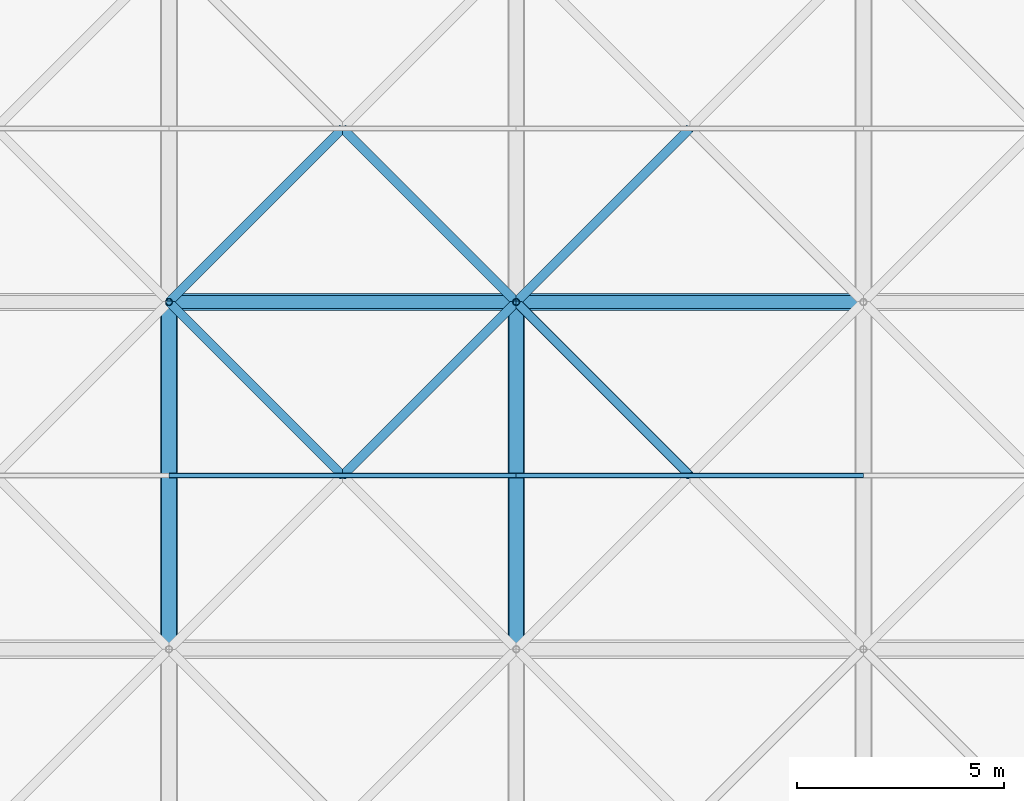
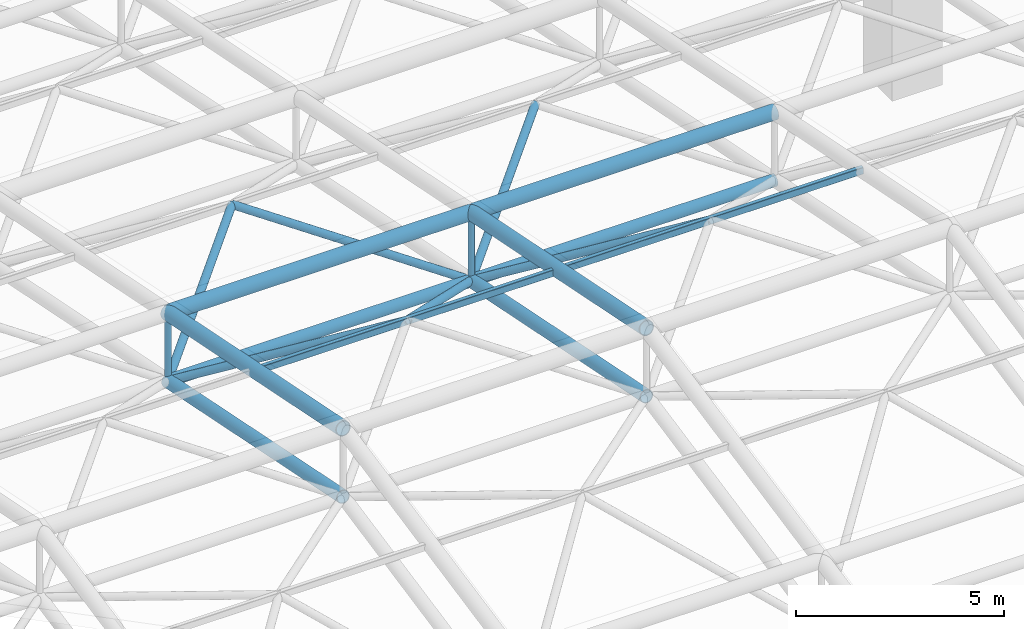
# One storey, part 41 of 81: 18 members.
"""IFC4 building model written with IfcOpenShell, lengths in metres."""

import ifcopenshell
import ifcopenshell.guid

model = None  # the IFC model being written
_history = None  # IfcOwnerHistory: only IFC2X3 demands one
_inside = {}  # id of a spatial element -> (the spatial element, [elements in it])
_under = {}  # id of a project, library or spatial element -> (it, [spatial elements below it])
_declared = {}  # id of a project -> (the project, [libraries it declares])
_typed = {}  # id of a type object -> (the type object, [elements of that type])
_made_of = {}  # id of a material, layer set ... -> (it, [elements and type objects made of it])


def new_model(schema):
    """Start an empty IFC model of exactly this schema.

    Asked for "IFC4X3", IfcOpenShell would pick the latest addendum, in which some entities
    have other attributes; the version numbers below select the first issue.
    IFC2X3 requires an IfcOwnerHistory on every rooted entity: one is made here for all.
    """
    global model, _history
    if schema == "IFC4X3":
        model = ifcopenshell.file(schema_version=(4, 3, 0, 0))
    else:
        model = ifcopenshell.file(schema=schema)
    _inside.clear()
    _under.clear()
    _declared.clear()
    _typed.clear()
    _made_of.clear()
    _history = None
    if model.schema == "IFC2X3":
        org = make("IfcOrganization", Name="unknown")
        user = make(
            "IfcPersonAndOrganization",
            ThePerson=make("IfcPerson", FamilyName="unknown"),
            TheOrganization=org,
        )
        app = make(
            "IfcApplication",
            ApplicationDeveloper=org,
            Version="unknown",
            ApplicationFullName="unknown",
            ApplicationIdentifier="unknown",
        )
        _history = make(
            "IfcOwnerHistory",
            OwningUser=user,
            OwningApplication=app,
            ChangeAction="ADDED",
            CreationDate=0,
        )
    return model


def make(cls, **values):
    """One entity of the class cls with the attributes given. An attribute that is None is left unset."""
    return model.create_entity(
        cls, **{name: value for name, value in values.items() if value is not None}
    )


def rooted(cls, **values):
    """An entity with a GlobalId (a new one), such as an element, a storey or a relation."""
    return make(cls, GlobalId=ifcopenshell.guid.new(), OwnerHistory=_history, **values)


def si_unit(unit_type, name, prefix=None):
    """IfcSIUnit, for example si_unit("LENGTHUNIT", "METRE", prefix="MILLI")."""
    return make("IfcSIUnit", UnitType=unit_type, Prefix=prefix, Name=name)


def assignment(units):
    """IfcUnitAssignment: the units of a project."""
    return None if units is None else make("IfcUnitAssignment", Units=units)


def point(xyz):
    """IfcCartesianPoint."""
    return None if xyz is None else make("IfcCartesianPoint", Coordinates=xyz)


def direction(xyz):
    """IfcDirection."""
    return None if xyz is None else make("IfcDirection", DirectionRatios=xyz)


def frame(location, z_axis=None, x_axis=None):
    """IfcAxis2Placement3D, a coordinate frame: its origin and axes. An axis left out is left unset."""
    return make(
        "IfcAxis2Placement3D",
        Location=point(location),
        Axis=direction(z_axis),
        RefDirection=direction(x_axis),
    )


def frame_2d(location, x_axis=None):
    """IfcAxis2Placement2D, a coordinate frame in the plane: its origin and x axis."""
    return make(
        "IfcAxis2Placement2D", Location=point(location), RefDirection=direction(x_axis)
    )


def origin():
    """The frame at (0, 0, 0) with its axes left unset."""
    return frame((0.0, 0.0, 0.0))


def origin_2d():
    """The frame at (0, 0) in the plane with its x axis left unset."""
    return frame_2d((0.0, 0.0))


def place(relative_to, where):
    """IfcLocalPlacement: puts the frame where relative to a parent placement (None: the world)."""
    return make(
        "IfcLocalPlacement", PlacementRelTo=relative_to, RelativePlacement=where
    )


def context(
    kind, dimensions, precision=None, world=None, true_north=None, identifier=None
):
    """IfcGeometricRepresentationContext, for example the 3D "Model" context."""
    return make(
        "IfcGeometricRepresentationContext",
        ContextIdentifier=identifier,
        ContextType=kind,
        CoordinateSpaceDimension=dimensions,
        Precision=precision,
        WorldCoordinateSystem=world,
        TrueNorth=true_north,
    )


def subcontext(parent, identifier, kind, view, scale=None):
    """IfcGeometricRepresentationSubContext, for example "Body" below "Model"."""
    return make(
        "IfcGeometricRepresentationSubContext",
        ContextIdentifier=identifier,
        ContextType=kind,
        ParentContext=parent,
        TargetScale=scale,
        TargetView=view,
    )


def project(units=None, contexts=None):
    """IfcProject with its units and contexts."""
    return rooted(
        "IfcProject",
        Name="project",
        RepresentationContexts=contexts,
        UnitsInContext=assignment(units),
    )


def spatial(cls, under=None, at=None, **own):
    """A site, building, storey or space (cls), placed at a placement, below another one or the project."""
    s = rooted(cls, ObjectPlacement=at, **own)
    if under is not None:
        _under.setdefault(under.id(), (under, []))[1].append(s)
    return s


def profile(cls, at=None, kind="AREA", **sizes):
    """A parametric profile (cls). Its sizes go by their IFC names, for example OverallWidth=200.0."""
    return make(cls, ProfileType=kind, Position=at, **sizes)


def hollow_rectangle(**sizes):
    """IfcRectangleHollowProfileDef."""
    return profile("IfcRectangleHollowProfileDef", **sizes)


def hollow_circle(**sizes):
    """IfcCircleHollowProfileDef."""
    return profile("IfcCircleHollowProfileDef", **sizes)


def extrude(swept, where, along, depth):
    """IfcExtrudedAreaSolid: the profile swept, set in the frame where, extruded along a direction by depth."""
    return make(
        "IfcExtrudedAreaSolid",
        SweptArea=swept,
        Position=where,
        ExtrudedDirection=direction(along),
        Depth=depth,
    )


def shape(context_of_items, identifier, shape_type, items):
    """IfcShapeRepresentation: the items that make up one representation, for example the "Body"."""
    return make(
        "IfcShapeRepresentation",
        ContextOfItems=context_of_items,
        RepresentationIdentifier=identifier,
        RepresentationType=shape_type,
        Items=items,
    )


def material(Name=None, Category=None):
    """IfcMaterial."""
    return make("IfcMaterial", Name=Name, Category=Category)


def material_profile(
    of_material, cross_section, Name=None, Category=None, Priority=None
):
    """IfcMaterialProfile: a cross section and its material."""
    return make(
        "IfcMaterialProfile",
        Name=Name,
        Material=of_material,
        Profile=cross_section,
        Priority=Priority,
        Category=Category,
    )


def profile_set(profiles, Name=None, composite=None):
    """IfcMaterialProfileSet."""
    return make(
        "IfcMaterialProfileSet",
        Name=Name,
        MaterialProfiles=profiles,
        CompositeProfile=composite,
    )


def made_of(thing, what):
    """Note that an element or type object is made of a material, layer set ...; save() writes the relation."""
    if what is not None:
        _made_of.setdefault(what.id(), (what, []))[1].append(thing)
    return thing


def type_object(cls, material=None, **own):
    """A type object (cls), such as IfcWallType, which elements share."""
    return made_of(rooted(cls, **own), material)


def element(
    cls,
    number,
    at=None,
    inside=None,
    cuts=None,
    type_object=None,
    material=None,
    context=None,
    identifier="Body",
    shape_type=None,
    held_by="IfcProductDefinitionShape",
    body=None,
    shapes=None,
    **own,
):
    """One element of the class cls, such as IfcWall. Its Tag is "e" and its number.

    at: its placement. inside: the storey or other place that contains it. cuts: it is an
    opening in that element (IfcRelVoidsElement). A single representation is given by context,
    identifier, shape_type and body (its items); several are given by shapes. held_by: the class
    of the entity that holds the representations. save() writes the other relations.
    """
    e = rooted(cls, Tag="e%d" % number, ObjectPlacement=at, **own)
    if body is not None:
        shapes = [shape(context, identifier, shape_type, body)]
    if shapes is not None:
        e.Representation = make(held_by, Representations=shapes)
    if inside is not None:
        _inside.setdefault(inside.id(), (inside, []))[1].append(e)
    if cuts is not None:
        rooted(
            "IfcRelVoidsElement", RelatingBuildingElement=cuts, RelatedOpeningElement=e
        )
    if type_object is not None:
        _typed.setdefault(type_object.id(), (type_object, []))[1].append(e)
    return made_of(e, material)


def aggregate(whole, parts):
    """IfcRelAggregates: a whole, such as a stair, and the parts it consists of."""
    return rooted("IfcRelAggregates", RelatingObject=whole, RelatedObjects=parts)


def save(model, path):
    """Write the relations noted so far, then the file.

    IfcRelAggregates (storeys below a building ...), IfcRelContainedInSpatialStructure (elements
    in a storey), IfcRelDefinesByType, IfcRelAssociatesMaterial and IfcRelDeclares: one each for
    every whole, place, type object, material and project.
    """
    for whole, parts in _under.values():
        aggregate(whole, parts)
    for where, things in _inside.values():
        rooted(
            "IfcRelContainedInSpatialStructure",
            RelatedElements=things,
            RelatingStructure=where,
        )
    for kind, things in _typed.values():
        rooted("IfcRelDefinesByType", RelatedObjects=things, RelatingType=kind)
    for what, things in _made_of.values():
        rooted("IfcRelAssociatesMaterial", RelatedObjects=things, RelatingMaterial=what)
    for by, libraries in _declared.values():
        rooted("IfcRelDeclares", RelatingContext=by, RelatedDefinitions=libraries)
    model.write(path)


model = new_model("IFC4")

# Units and contexts
model_context = context("Model", 3, precision=1e-05, world=origin(), true_north=direction((0.0, 1.0)))
body_context = subcontext(model_context, "Body", "Model", "MODEL_VIEW")
ifc_project = project(units=[si_unit("LENGTHUNIT", "METRE"), si_unit("AREAUNIT", "SQUARE_METRE"), si_unit("VOLUMEUNIT", "CUBIC_METRE"), si_unit("PLANEANGLEUNIT", "RADIAN"), si_unit("MASSUNIT", "GRAM", prefix="KILO")], contexts=[model_context])

# Site, building, storey
site_placement = place(None, origin())
site = spatial("IfcSite", under=ifc_project, at=site_placement, CompositionType="ELEMENT")
building_placement = place(site_placement, origin())
building = spatial("IfcBuilding", under=site, at=building_placement, Name="Qawsi Khor Wholesale Market", CompositionType="ELEMENT")
storey_placement = place(building_placement, frame((0.0, 0.0, 16.199951171875)))
storey = spatial("IfcBuildingStorey", under=building, at=storey_placement, Name="L03", CompositionType="ELEMENT", Elevation=16.199951171875)

# Members
ifc_material = material(Name="Steel S355", Category="steel")
ifc_material_profile_1 = material_profile(ifc_material, hollow_circle(Radius=0.177734375, WallThickness=0.01611328125, at=origin_2d()), Name="CHS 355.6x16.0")
ifc_profile_set_1 = profile_set([ifc_material_profile_1], Name="Steel S355")
member_type_1 = type_object("IfcMemberType", Name="Space-Frame Bottom Chord CHS 355.6x16.0", PredefinedType="CHORD", material=ifc_profile_set_1)
for number, where, z_axis, x_axis, name in (
    (1, (33.60009765625, 75.60009765625, 6.77001953125), (0.0, 0.980129990483, -0.1983562496), (-1.0, 0.0, 0.0), "Space frame bottom chord Y WH (4,9)"),
    (2, (42.0, 75.60009765625, 6.77001953125), (0.0, 0.980129990483, -0.1983562496), (-1.0, 0.0, 0.0), "Space frame bottom chord Y WH (5,9)"),
):
    element("IfcMember", number, at=place(storey_placement, frame(where, z_axis=z_axis, x_axis=x_axis)), inside=storey, type_object=member_type_1, Name=name, PredefinedType="CHORD", context=body_context, shape_type="SweptSolid", body=[
        extrude(hollow_circle(Radius=0.177734375, WallThickness=0.01611328125, at=origin_2d()), origin(), (0.0, 0.0, 1.0), 8.5703125),
    ])
ifc_material_profile_2 = material_profile(ifc_material, hollow_rectangle(XDim=0.1201171875, YDim=0.199951171875, WallThickness=0.008056640625, InnerFilletRadius=0.008056640625, OuterFilletRadius=0.01611328125, at=origin_2d()), Name="RHS 200x120x8.0")
ifc_profile_set_2 = profile_set([ifc_material_profile_2], Name="Steel S355")
member_type_2 = type_object("IfcMemberType", Name="Space-Frame Heavy Purlin RHS 200x120x8.0", PredefinedType="PURLIN", material=ifc_profile_set_2)
for number, where, z_axis, x_axis, name in (
    (3, (33.60009765625, 79.800048828125, 7.920166015625), (1.0, 0.0, 0.0), (0.0, 1.0, 0.0), "Space frame purlin WH (4,9)"),
    (4, (42.0, 79.800048828125, 7.920166015625), (1.0, 0.0, 0.0), (0.0, 1.0, 0.0), "Space frame purlin WH (5,9)"),
):
    element("IfcMember", number, at=place(storey_placement, frame(where, z_axis=z_axis, x_axis=x_axis)), inside=storey, type_object=member_type_2, Name=name, PredefinedType="PURLIN", context=body_context, shape_type="SweptSolid", body=[
        extrude(hollow_rectangle(XDim=0.1201171875, YDim=0.199951171875, WallThickness=0.008056640625, InnerFilletRadius=0.008056640625, OuterFilletRadius=0.01611328125, at=origin_2d()), origin(), (0.0, 0.0, 1.0), 8.39990234375),
    ])
ifc_material_profile_3 = material_profile(ifc_material, hollow_circle(Radius=0.109619140625, WallThickness=0.010009765625, at=origin_2d()), Name="CHS 219.1x10.0")
ifc_profile_set_3 = profile_set([ifc_material_profile_3], Name="Steel S355")
member_type_3 = type_object("IfcMemberType", Name="Space-Frame Inner Diagonal CHS 219.1x10.0", PredefinedType="RAFTER", material=ifc_profile_set_3)
for number, where, z_axis, x_axis, name in (
    (5, (42.0, 84.0, 5.070068359375), (-0.637511741089, -0.637511741089, 0.432617105474), (0.707106781187, -0.707106781187, 0.0), "Space frame diagonal WH (4,9)-3"),
    (6, (33.60009765625, 84.0, 5.070068359375), (0.637511741089, -0.637511741089, 0.432617105474), (0.707106781187, 0.707106781187, 0.0), "Space frame diagonal WH (4,9)-4"),
):
    element("IfcMember", number, at=place(storey_placement, frame(where, z_axis=z_axis, x_axis=x_axis)), inside=storey, type_object=member_type_3, Name=name, PredefinedType="RAFTER", context=body_context, shape_type="SweptSolid", body=[
        extrude(hollow_circle(Radius=0.109619140625, WallThickness=0.010009765625, at=origin_2d()), origin(), (0.0, 0.0, 1.0), 6.588134765625),
    ])
for number, where, z_axis, x_axis, name in (
    (7, (33.60009765625, 84.0, 5.070068359375), (0.694216714393, 0.694216714393, 0.190069216113), (-0.707106781187, 0.707106781187, 0.0), "Space frame diagonal WH (4,10)-1"),
    (8, (42.0, 84.0, 5.070068359375), (-0.694216714393, 0.694216714393, 0.190069216113), (-0.707106781187, -0.707106781187, 0.0), "Space frame diagonal WH (4,10)-2"),
):
    element("IfcMember", number, at=place(storey_placement, frame(where, z_axis=z_axis, x_axis=x_axis)), inside=storey, type_object=member_type_3, Name=name, PredefinedType="RAFTER", context=body_context, shape_type="SweptSolid", body=[
        extrude(hollow_circle(Radius=0.109619140625, WallThickness=0.010009765625, at=origin_2d()), origin(), (0.0, 0.0, 1.0), 6.0498046875),
    ])
member_1_placement = place(storey_placement, frame((42.0, 84.0, 5.070068359375), z_axis=(0.637511741089, -0.637511741089, 0.432617105474), x_axis=(0.707106781187, 0.707106781187, 0.0)))
element("IfcMember", 9, at=member_1_placement, inside=storey, type_object=member_type_3, Name="Space frame diagonal WH (5,9)-4", PredefinedType="RAFTER", context=body_context, shape_type="SweptSolid", body=[
    extrude(hollow_circle(Radius=0.109619140625, WallThickness=0.010009765625, at=origin_2d()), origin(), (0.0, 0.0, 1.0), 6.588134765625),
])
member_2_placement = place(storey_placement, frame((42.0, 84.0, 5.070068359375), z_axis=(0.694216714393, 0.694216714393, 0.190069216113), x_axis=(-0.707106781187, 0.707106781187, 0.0)))
element("IfcMember", 10, at=member_2_placement, inside=storey, type_object=member_type_3, Name="Space frame diagonal WH (5,10)-1", PredefinedType="RAFTER", context=body_context, shape_type="SweptSolid", body=[
    extrude(hollow_circle(Radius=0.109619140625, WallThickness=0.010009765625, at=origin_2d()), origin(), (0.0, 0.0, 1.0), 6.0498046875),
])
ifc_material_profile_4 = material_profile(ifc_material, hollow_circle(Radius=0.161865234375, WallThickness=0.01611328125, at=origin_2d()), Name="CHS 323.9x16.0")
ifc_profile_set_4 = profile_set([ifc_material_profile_4], Name="Steel S355")
member_type_4 = type_object("IfcMemberType", Name="Space-Frame Secondary Chord CHS 323.9x16.0", PredefinedType="CHORD", material=ifc_profile_set_4)
for number, where, z_axis, x_axis, name in (
    (11, (33.60009765625, 84.0, 5.070068359375), (1.0, 0.0, 0.0), (0.0, 1.0, 0.0), "Space frame bottom chord X WH (4,10)"),
    (12, (42.0, 84.0, 5.070068359375), (1.0, 0.0, 0.0), (0.0, 1.0, 0.0), "Space frame bottom chord X WH (5,10)"),
):
    element("IfcMember", number, at=place(storey_placement, frame(where, z_axis=z_axis, x_axis=x_axis)), inside=storey, type_object=member_type_4, Name=name, PredefinedType="CHORD", context=body_context, shape_type="SweptSolid", body=[
        extrude(hollow_circle(Radius=0.161865234375, WallThickness=0.01611328125, at=origin_2d()), origin(), (0.0, 0.0, 1.0), 8.39990234375),
    ])
ifc_material_profile_5 = material_profile(ifc_material, hollow_circle(Radius=0.203125, WallThickness=0.02001953125, at=origin_2d()), Name="CHS 406.4x20.0")
ifc_profile_set_5 = profile_set([ifc_material_profile_5], Name="Steel S355")
member_type_5 = type_object("IfcMemberType", Name="Space-Frame Top Chord CHS 406.4x20.0", PredefinedType="CHORD", material=ifc_profile_set_5)
member_3_placement = place(storey_placement, frame((33.60009765625, 75.60009765625, 8.77001953125), z_axis=(0.0, 0.980129990483, -0.1983562496), x_axis=(-1.0, 0.0, 0.0)))
element("IfcMember", 13, at=member_3_placement, inside=storey, type_object=member_type_5, Name="Space frame top chord Y WH (4,9)", PredefinedType="CHORD", context=body_context, shape_type="SweptSolid", body=[
    extrude(hollow_circle(Radius=0.203125, WallThickness=0.02001953125, at=origin_2d()), origin(), (0.0, 0.0, 1.0), 8.5703125),
])
member_4_placement = place(storey_placement, frame((33.60009765625, 84.0, 7.070068359375), z_axis=(1.0, 0.0, 0.0), x_axis=(0.0, 1.0, 0.0)))
element("IfcMember", 14, at=member_4_placement, inside=storey, type_object=member_type_5, Name="Space frame top chord X WH (4,10)", PredefinedType="CHORD", context=body_context, shape_type="SweptSolid", body=[
    extrude(hollow_circle(Radius=0.203125, WallThickness=0.02001953125, at=origin_2d()), origin(), (0.0, 0.0, 1.0), 8.39990234375),
])
member_5_placement = place(storey_placement, frame((42.0, 75.60009765625, 8.77001953125), z_axis=(0.0, 0.980129990483, -0.1983562496), x_axis=(-1.0, 0.0, 0.0)))
element("IfcMember", 15, at=member_5_placement, inside=storey, type_object=member_type_5, Name="Space frame top chord Y WH (5,9)", PredefinedType="CHORD", context=body_context, shape_type="SweptSolid", body=[
    extrude(hollow_circle(Radius=0.203125, WallThickness=0.02001953125, at=origin_2d()), origin(), (0.0, 0.0, 1.0), 8.5703125),
])
member_6_placement = place(storey_placement, frame((42.0, 84.0, 7.070068359375), z_axis=(1.0, 0.0, 0.0), x_axis=(0.0, 1.0, 0.0)))
element("IfcMember", 16, at=member_6_placement, inside=storey, type_object=member_type_5, Name="Space frame top chord X WH (5,10)", PredefinedType="CHORD", context=body_context, shape_type="SweptSolid", body=[
    extrude(hollow_circle(Radius=0.203125, WallThickness=0.02001953125, at=origin_2d()), origin(), (0.0, 0.0, 1.0), 8.39990234375),
])
ifc_material_profile_6 = material_profile(ifc_material, hollow_circle(Radius=0.084228515625, WallThickness=0.008056640625, at=origin_2d()), Name="CHS 168.3x8.0")
ifc_profile_set_6 = profile_set([ifc_material_profile_6], Name="Steel S355")
member_type_6 = type_object("IfcMemberType", Name="Space-Frame Vertical Strut CHS 168.3x8.0", PredefinedType="STRUT", material=ifc_profile_set_6)
for number, where, z_axis, x_axis, name in (
    (17, (33.60009765625, 84.0, 5.070068359375), (0.0, 0.0, 1.0), (1.0, 0.0, 0.0), "Space frame post WH (4,10)"),
    (18, (42.0, 84.0, 5.070068359375), (0.0, 0.0, 1.0), (1.0, 0.0, 0.0), "Space frame post WH (5,10)"),
):
    element("IfcMember", number, at=place(storey_placement, frame(where, z_axis=z_axis, x_axis=x_axis)), inside=storey, type_object=member_type_6, Name=name, PredefinedType="STRUT", context=body_context, shape_type="SweptSolid", body=[
        extrude(hollow_circle(Radius=0.084228515625, WallThickness=0.008056640625, at=origin_2d()), origin(), (0.0, 0.0, 1.0), 2.0),
    ])

save(model, "model.ifc")
